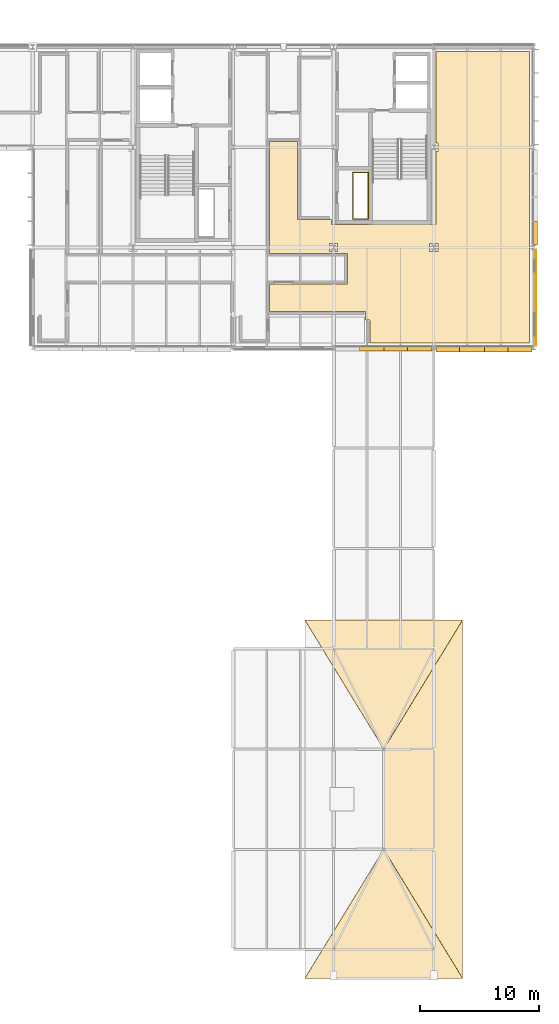
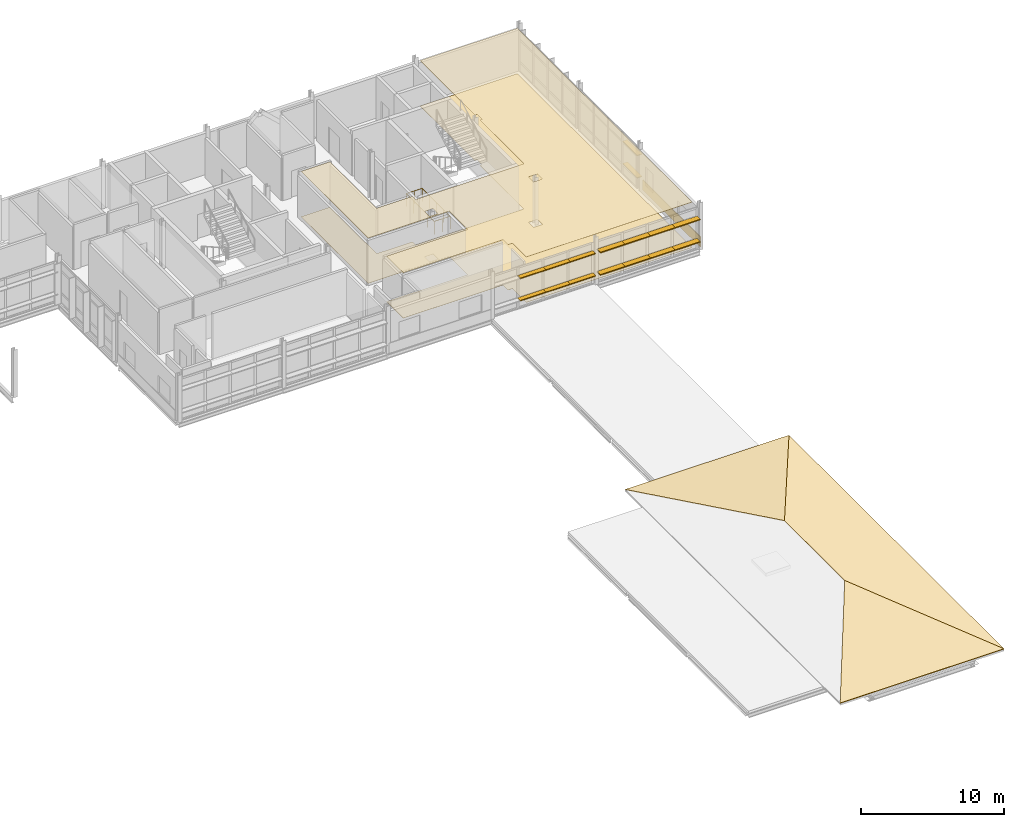
# One storey, part 56 of 57: 16 shading devices, 6 coverings, 1 railing.
"""IFC4 building model written with IfcOpenShell, lengths in metres."""

from ifc_helpers import new_model, si_unit, direction, frame, origin, origin_2d, place, context, subcontext, project, spatial, polyline, rectangle, circle, outline, extrude, material, layer, layer_set, type_object, element, save


model = new_model("IFC4")

# Units and contexts
model_context = context("Model", 3, precision=1e-05, world=origin(), true_north=direction((0.0, 1.0)))
body_context = subcontext(model_context, "Body", "Model", "MODEL_VIEW")
ifc_project = project(units=[si_unit("LENGTHUNIT", "METRE"), si_unit("AREAUNIT", "SQUARE_METRE"), si_unit("VOLUMEUNIT", "CUBIC_METRE"), si_unit("PLANEANGLEUNIT", "RADIAN"), si_unit("MASSUNIT", "GRAM", prefix="KILO")], contexts=[model_context])

# Site, building, storey
site_placement = place(None, origin())
site = spatial("IfcSite", under=ifc_project, at=site_placement, CompositionType="ELEMENT")
building_placement = place(site_placement, origin())
building = spatial("IfcBuilding", under=site, at=building_placement, Name="Mersafa Astral City Hall", CompositionType="ELEMENT")
storey_placement = place(building_placement, frame((0.0, 0.0, 26.10009765625)))
storey = spatial("IfcBuildingStorey", under=building, at=storey_placement, Name="L06", CompositionType="ELEMENT", Elevation=26.10009765625)

# Coverings
ifc_material_1 = material(Name="Cairo Mokattam buff limestone cladding", Category="masonry")
ifc_layer_1 = layer(ifc_material_1, 0.06005859375, Name="Cairo Mokattam buff limestone cladding")
ifc_layer_set_1 = layer_set([ifc_layer_1], Name="Cairo Mokattam buff limestone cladding — ENV-COV-LIMESTONE-60")
covering_type_1 = type_object("IfcCoveringType", Name="ENV-COV-LIMESTONE-60", PredefinedType="CLADDING", material=ifc_layer_set_1)
covering_1_placement = place(storey_placement, frame((184.939453125, 104.989990234375, 0.0), z_axis=(0.0, 0.0, 1.0), x_axis=(0.0, 1.0, 0.0)))
element("IfcCovering", 1, at=covering_1_placement, inside=storey, type_object=covering_type_1, Name="L06 Cairo buff limestone rainscreen cladding 348", PredefinedType="CLADDING", context=body_context, shape_type="SweptSolid", body=[
    extrude(rectangle(XDim=8.028076171875, YDim=0.06005859375, at=origin_2d()), origin(), (0.0, 0.0, 1.0), 0.860107421875),
])
ifc_material_2 = material(Name="Egyptian ceramic terracotta roof tile", Category="masonry")
ifc_layer_2 = layer(ifc_material_2, 0.054931640625, Name="Egyptian ceramic terracotta roof tile")
ifc_layer_set_2 = layer_set([ifc_layer_2], Name="Egyptian ceramic terracotta roof tile — ENV-COV-TERRACOTTA-55")
covering_type_2 = type_object("IfcCoveringType", Name="ENV-COV-TERRACOTTA-55", PredefinedType="ROOFING", material=ifc_layer_set_2)
covering_2_placement = place(storey_placement, frame((165.60009765625, 48.0, 0.052978515625), z_axis=(0.0, -0.145155933963, 0.989408790559), x_axis=(1.0, 0.0, 0.0)))
element("IfcCovering", 2, at=covering_2_placement, inside=storey, type_object=covering_type_2, Name="L06 Warm terracotta ceramic roof tile covering 31", PredefinedType="ROOFING", context=body_context, shape_type="SweptSolid", body=[
    extrude(outline(polyline([(0.0, 0.0), (13.199951171875, 0.0), (6.599853515625, 10.915658857269593), (0.0, 0.0)])), origin(), (0.0, 0.0, -1.0), 0.054931640625),
])
covering_3_placement = place(storey_placement, frame((178.800048828125, 78.0, 0.052978515625), z_axis=(0.0, 0.145155933963, 0.989408790559), x_axis=(-1.0, 0.0, 0.0)))
element("IfcCovering", 3, at=covering_3_placement, inside=storey, type_object=covering_type_2, Name="L06 Warm terracotta ceramic roof tile covering 32", PredefinedType="ROOFING", context=body_context, shape_type="SweptSolid", body=[
    extrude(outline(polyline([(0.0, 0.0), (13.199951171875, 0.0), (6.60009765625, 10.915658857269593), (0.0, 0.0)])), origin(), (0.0, 0.0, -1.0), 0.054931640625),
])
covering_4_placement = place(storey_placement, frame((178.800048828125, 48.0, 0.052978515625), z_axis=(0.233435529554, 0.0, 0.972372281352), x_axis=(0.0, 1.0, 0.0)))
element("IfcCovering", 4, at=covering_4_placement, inside=storey, type_object=covering_type_2, Name="L06 Warm terracotta ceramic roof tile covering 34", PredefinedType="ROOFING", context=body_context, shape_type="SweptSolid", body=[
    extrude(outline(polyline([(0.0, 0.0), (30.0, 0.0), (19.199951171875, 6.787624228729863), (10.800048828125, 6.787624228729863), (0.0, 0.0)])), origin(), (0.0, 0.0, -1.0), 0.054931640625),
])

# Shading devices
ifc_material_3 = material(Name="Kiln-dried cedar timber brise-soleil blade", Category="wood")
shading_device_type_1 = type_object("IfcShadingDeviceType", Name="ENV-SHD-LOUVRE-380", PredefinedType="JALOUSIE", material=ifc_material_3)
for number, where, z_axis, x_axis, name in (
    (5, (171.1904296875, 100.719970703125, 0.81494140625), (0.0, 0.0, 1.0), (1.0, 0.0, 0.0), "L06 Horizontal cedar brise-soleil louvre 1617"),
    (6, (173.20947265625, 100.719970703125, 0.81494140625), (0.0, 0.0, 1.0), (1.0, 0.0, 0.0), "L06 Horizontal cedar brise-soleil louvre 1618"),
):
    element("IfcShadingDevice", number, at=place(storey_placement, frame(where, z_axis=z_axis, x_axis=x_axis)), inside=storey, type_object=shading_device_type_1, Name=name, PredefinedType="JALOUSIE", context=body_context, shape_type="SweptSolid", body=[
        extrude(rectangle(XDim=2.05908203125, YDim=0.3798828125, at=origin_2d()), origin(), (0.0, 0.0, 1.0), 0.070068359375),
    ])
shading_device_1_placement = place(storey_placement, frame((175.21337890625, 100.719970703125, 0.81494140625), z_axis=(0.0, 0.0, 1.0), x_axis=(1.0, 0.0, 0.0)))
element("IfcShadingDevice", 7, at=shading_device_1_placement, inside=storey, type_object=shading_device_type_1, Name="L06 Horizontal cedar brise-soleil louvre 1619", PredefinedType="JALOUSIE", context=body_context, shape_type="SweptSolid", body=[
    extrude(rectangle(XDim=2.029052734375, YDim=0.3798828125, at=origin_2d()), origin(), (0.0, 0.0, 1.0), 0.070068359375),
])
for number, where, z_axis, x_axis, name in (
    (8, (171.1904296875, 100.719970703125, 2.71484375), (0.0, 0.0, 1.0), (1.0, 0.0, 0.0), "L06 Horizontal cedar brise-soleil louvre 1621"),
    (9, (173.20947265625, 100.719970703125, 2.71484375), (0.0, 0.0, 1.0), (1.0, 0.0, 0.0), "L06 Horizontal cedar brise-soleil louvre 1622"),
):
    element("IfcShadingDevice", number, at=place(storey_placement, frame(where, z_axis=z_axis, x_axis=x_axis)), inside=storey, type_object=shading_device_type_1, Name=name, PredefinedType="JALOUSIE", context=body_context, shape_type="SweptSolid", body=[
        extrude(rectangle(XDim=2.05908203125, YDim=0.3798828125, at=origin_2d()), origin(), (0.0, 0.0, 1.0), 0.070068359375),
    ])
shading_device_2_placement = place(storey_placement, frame((175.21337890625, 100.719970703125, 2.71484375), z_axis=(0.0, 0.0, 1.0), x_axis=(1.0, 0.0, 0.0)))
element("IfcShadingDevice", 10, at=shading_device_2_placement, inside=storey, type_object=shading_device_type_1, Name="L06 Horizontal cedar brise-soleil louvre 1623", PredefinedType="JALOUSIE", context=body_context, shape_type="SweptSolid", body=[
    extrude(rectangle(XDim=2.029052734375, YDim=0.3798828125, at=origin_2d()), origin(), (0.0, 0.0, 1.0), 0.070068359375),
])
for number, where, z_axis, x_axis, name in (
    (11, (184.8798828125, 110.400146484375, 0.81494140625), (0.0, 0.0, 1.0), (0.0, 1.0, 0.0), "L06 Horizontal cedar brise-soleil louvre 1632"),
    (12, (184.8798828125, 110.400146484375, 2.71484375), (0.0, 0.0, 1.0), (0.0, 1.0, 0.0), "L06 Horizontal cedar brise-soleil louvre 1636"),
):
    element("IfcShadingDevice", number, at=place(storey_placement, frame(where, z_axis=z_axis, x_axis=x_axis)), inside=storey, type_object=shading_device_type_1, Name=name, PredefinedType="JALOUSIE", context=body_context, shape_type="SweptSolid", body=[
        extrude(rectangle(XDim=2.0166015625, YDim=0.3798828125, at=origin_2d()), origin(), (0.0, 0.0, 1.0), 0.070068359375),
    ])
shading_device_type_2 = type_object("IfcShadingDeviceType", Name="ENV-SHD-LOUVRE-450", PredefinedType="JALOUSIE", material=ifc_material_3)
shading_device_3_placement = place(storey_placement, frame((177.58642578125, 100.68505859375, 0.809814453125), z_axis=(0.0, 0.0, 1.0), x_axis=(1.0, 0.0, 0.0)))
element("IfcShadingDevice", 13, at=shading_device_3_placement, inside=storey, type_object=shading_device_type_2, Name="L06 Horizontal cedar brise-soleil louvre 1624", PredefinedType="JALOUSIE", context=body_context, shape_type="SweptSolid", body=[
    extrude(rectangle(XDim=2.029052734375, YDim=0.449951171875, at=origin_2d()), origin(), (0.0, 0.0, 1.0), 0.080078125),
])
for number, where, z_axis, x_axis, name in (
    (14, (179.590576171875, 100.68505859375, 0.809814453125), (0.0, 0.0, 1.0), (1.0, 0.0, 0.0), "L06 Horizontal cedar brise-soleil louvre 1625"),
    (15, (181.609619140625, 100.68505859375, 0.809814453125), (0.0, 0.0, 1.0), (1.0, 0.0, 0.0), "L06 Horizontal cedar brise-soleil louvre 1626"),
):
    element("IfcShadingDevice", number, at=place(storey_placement, frame(where, z_axis=z_axis, x_axis=x_axis)), inside=storey, type_object=shading_device_type_2, Name=name, PredefinedType="JALOUSIE", context=body_context, shape_type="SweptSolid", body=[
        extrude(rectangle(XDim=2.05908203125, YDim=0.449951171875, at=origin_2d()), origin(), (0.0, 0.0, 1.0), 0.080078125),
    ])
for number, where, z_axis, x_axis, name in (
    (16, (183.613525390625, 100.68505859375, 0.809814453125), (0.0, 0.0, 1.0), (1.0, 0.0, 0.0), "L06 Horizontal cedar brise-soleil louvre 1627"),
    (17, (177.58642578125, 100.68505859375, 2.7099609375), (0.0, 0.0, 1.0), (1.0, 0.0, 0.0), "L06 Horizontal cedar brise-soleil louvre 1628"),
):
    element("IfcShadingDevice", number, at=place(storey_placement, frame(where, z_axis=z_axis, x_axis=x_axis)), inside=storey, type_object=shading_device_type_2, Name=name, PredefinedType="JALOUSIE", context=body_context, shape_type="SweptSolid", body=[
        extrude(rectangle(XDim=2.029052734375, YDim=0.449951171875, at=origin_2d()), origin(), (0.0, 0.0, 1.0), 0.080078125),
    ])
for number, where, z_axis, x_axis, name in (
    (18, (179.590576171875, 100.68505859375, 2.7099609375), (0.0, 0.0, 1.0), (1.0, 0.0, 0.0), "L06 Horizontal cedar brise-soleil louvre 1629"),
    (19, (181.609619140625, 100.68505859375, 2.7099609375), (0.0, 0.0, 1.0), (1.0, 0.0, 0.0), "L06 Horizontal cedar brise-soleil louvre 1630"),
):
    element("IfcShadingDevice", number, at=place(storey_placement, frame(where, z_axis=z_axis, x_axis=x_axis)), inside=storey, type_object=shading_device_type_2, Name=name, PredefinedType="JALOUSIE", context=body_context, shape_type="SweptSolid", body=[
        extrude(rectangle(XDim=2.05908203125, YDim=0.449951171875, at=origin_2d()), origin(), (0.0, 0.0, 1.0), 0.080078125),
    ])
shading_device_4_placement = place(storey_placement, frame((183.613525390625, 100.68505859375, 2.7099609375), z_axis=(0.0, 0.0, 1.0), x_axis=(1.0, 0.0, 0.0)))
element("IfcShadingDevice", 20, at=shading_device_4_placement, inside=storey, type_object=shading_device_type_2, Name="L06 Horizontal cedar brise-soleil louvre 1631", PredefinedType="JALOUSIE", context=body_context, shape_type="SweptSolid", body=[
    extrude(rectangle(XDim=2.029052734375, YDim=0.449951171875, at=origin_2d()), origin(), (0.0, 0.0, 1.0), 0.080078125),
])

# Railing
ifc_material_4 = material(Name="Painted architectural steel stair guard balustrade", Category="steel")
railing_type = type_object("IfcRailingType", Name="GUARD-RAIL", PredefinedType="BALUSTRADE", material=ifc_material_4)
railing_placement = place(storey_placement, frame((169.6201171875, 111.60009765625, 0.0)))
element("IfcRailing", 21, at=railing_placement, inside=storey, type_object=railing_type, Name="L06 K2 MEP Riser Shaft Guard", PredefinedType="BALUSTRADE", context=body_context, shape_type="SweptSolid", body=[
    extrude(circle(Radius=0.02392578125, at=origin_2d()), frame((0.0, 0.0, 1.09619140625), z_axis=(1.0, 0.0, 0.0), x_axis=(0.0, 1.0, 0.0)), (0.0, 0.0, 1.0), 1.27978515625),
    extrude(circle(Radius=0.02392578125, at=origin_2d()), frame((1.27978515625, 0.0, 1.09619140625), z_axis=(0.0, 1.0, 0.0), x_axis=(-1.0, 0.0, 0.0)), (0.0, 0.0, 1.0), 3.89990234375),
    extrude(circle(Radius=0.02392578125, at=origin_2d()), frame((1.27978515625, 3.89990234375, 1.09619140625), z_axis=(-1.0, 0.0, 0.0), x_axis=(0.0, -1.0, 0.0)), (0.0, 0.0, 1.0), 1.27978515625),
    extrude(circle(Radius=0.02392578125, at=origin_2d()), frame((0.0, 3.89990234375, 1.09619140625), z_axis=(0.0, -1.0, 0.0), x_axis=(1.0, 0.0, 0.0)), (0.0, 0.0, 1.0), 3.89990234375),
    extrude(circle(Radius=0.02099609375, at=origin_2d()), origin(), (0.0, 0.0, 1.0), 1.072021484375),
    extrude(circle(Radius=0.02099609375, at=origin_2d()), frame((0.639892578125, 0.0, 0.0)), (0.0, 0.0, 1.0), 1.072021484375),
    extrude(circle(Radius=0.02099609375, at=origin_2d()), frame((1.27978515625, 0.0, 0.0)), (0.0, 0.0, 1.0), 1.072021484375),
    extrude(circle(Radius=0.02099609375, at=origin_2d()), frame((1.27978515625, 0.97509765625, 0.0)), (0.0, 0.0, 1.0), 1.072021484375),
    extrude(circle(Radius=0.02099609375, at=origin_2d()), frame((1.27978515625, 1.949951171875, 0.0)), (0.0, 0.0, 1.0), 1.072021484375),
    extrude(circle(Radius=0.02099609375, at=origin_2d()), frame((1.27978515625, 2.9248046875, 0.0)), (0.0, 0.0, 1.0), 1.072021484375),
    extrude(circle(Radius=0.02099609375, at=origin_2d()), frame((1.27978515625, 3.89990234375, 0.0)), (0.0, 0.0, 1.0), 1.072021484375),
    extrude(circle(Radius=0.02099609375, at=origin_2d()), frame((0.639892578125, 3.89990234375, 0.0)), (0.0, 0.0, 1.0), 1.072021484375),
    extrude(circle(Radius=0.02099609375, at=origin_2d()), frame((0.0, 3.89990234375, 0.0)), (0.0, 0.0, 1.0), 1.072021484375),
    extrude(circle(Radius=0.02099609375, at=origin_2d()), frame((0.0, 2.9248046875, 0.0)), (0.0, 0.0, 1.0), 1.072021484375),
    extrude(circle(Radius=0.02099609375, at=origin_2d()), frame((0.0, 1.949951171875, 0.0)), (0.0, 0.0, 1.0), 1.072021484375),
    extrude(circle(Radius=0.02099609375, at=origin_2d()), frame((0.0, 0.97509765625, 0.0)), (0.0, 0.0, 1.0), 1.072021484375),
])

# Coverings
ifc_material_5 = material(Name="Perforated acoustic gypsum board ceiling", Category="gypsum")
ifc_layer_3 = layer(ifc_material_5, 0.02490234375, Name="Perforated acoustic gypsum board ceiling")
ifc_layer_set_3 = layer_set([ifc_layer_3], Name="Perforated acoustic gypsum board ceiling — INT-COV-CEIL-25")
covering_type_3 = type_object("IfcCoveringType", Name="INT-COV-CEIL-25", PredefinedType="CEILING", material=ifc_layer_set_3)
covering_5_placement = place(storey_placement, frame((0.0, 0.0, 3.85595703125)))
element("IfcCovering", 22, at=covering_5_placement, inside=storey, type_object=covering_type_3, Name="L06 Ceremonial Conference Room L06-02 acoustic ceiling", PredefinedType="CEILING", context=body_context, shape_type="SweptSolid", body=[
    extrude(outline(polyline([(170.679931640625, 103.1298828125), (170.679931640625, 103.830078125), (162.639892578125, 103.830078125), (162.639892578125, 106.159912109375), (169.169921875, 106.159912109375), (169.169921875, 108.719970703125), (162.639892578125, 108.719970703125), (162.639892578125, 118.080078125), (164.9599609375, 118.080078125), (164.9599609375, 111.56005859375), (167.840087890625, 111.56005859375), (167.840087890625, 111.1201171875), (176.56005859375, 111.1201171875), (176.56005859375, 117.260009765625), (176.739990234375, 117.260009765625), (176.739990234375, 117.93994140625), (176.56005859375, 117.93994140625), (176.56005859375, 125.60009765625), (184.39990234375, 125.60009765625), (184.39990234375, 101.199951171875), (171.030029296875, 101.199951171875), (171.030029296875, 103.1298828125), (170.679931640625, 103.1298828125)]), holes=[polyline([(176.75, 109.550048828125), (176.050048828125, 109.550048828125), (176.050048828125, 108.85009765625), (176.75, 108.85009765625), (176.75, 109.550048828125)]), polyline([(168.340087890625, 109.5400390625), (167.659912109375, 109.5400390625), (167.659912109375, 108.860107421875), (168.340087890625, 108.860107421875), (168.340087890625, 109.5400390625)])]), origin(), (0.0, 0.0, 1.0), 0.02490234375),
])
ifc_material_6 = material(Name="Heavy-duty woven acoustic carpet tile", Category="finish")
ifc_layer_4 = layer(ifc_material_6, 0.014892578125, Name="Heavy-duty woven acoustic carpet tile")
ifc_layer_set_4 = layer_set([ifc_layer_4], Name="Heavy-duty woven acoustic carpet tile — INT-COV-FLR-15")
covering_type_4 = type_object("IfcCoveringType", Name="INT-COV-FLR-15", PredefinedType="FLOORING", material=ifc_layer_set_4)
covering_6_placement = place(storey_placement, frame((0.0, 0.0, -0.001708984375)))
element("IfcCovering", 23, at=covering_6_placement, inside=storey, type_object=covering_type_4, Name="L06 Ceremonial Conference Room L06-02 architectural flooring", PredefinedType="FLOORING", context=body_context, shape_type="SweptSolid", body=[
    extrude(outline(polyline([(170.679931640625, 103.1298828125), (170.679931640625, 103.830078125), (162.639892578125, 103.830078125), (162.639892578125, 106.159912109375), (169.169921875, 106.159912109375), (169.169921875, 108.719970703125), (162.639892578125, 108.719970703125), (162.639892578125, 118.080078125), (164.9599609375, 118.080078125), (164.9599609375, 111.56005859375), (167.840087890625, 111.56005859375), (167.840087890625, 111.1201171875), (176.56005859375, 111.1201171875), (176.56005859375, 117.260009765625), (176.739990234375, 117.260009765625), (176.739990234375, 117.93994140625), (176.56005859375, 117.93994140625), (176.56005859375, 125.60009765625), (184.39990234375, 125.60009765625), (184.39990234375, 101.199951171875), (171.030029296875, 101.199951171875), (171.030029296875, 103.1298828125), (170.679931640625, 103.1298828125)]), holes=[polyline([(176.75, 109.550048828125), (176.050048828125, 109.550048828125), (176.050048828125, 108.85009765625), (176.75, 108.85009765625), (176.75, 109.550048828125)]), polyline([(168.340087890625, 109.5400390625), (167.659912109375, 109.5400390625), (167.659912109375, 108.860107421875), (168.340087890625, 108.860107421875), (168.340087890625, 109.5400390625)])]), origin(), (0.0, 0.0, 1.0), 0.014892578125),
])

save(model, "model.ifc")
